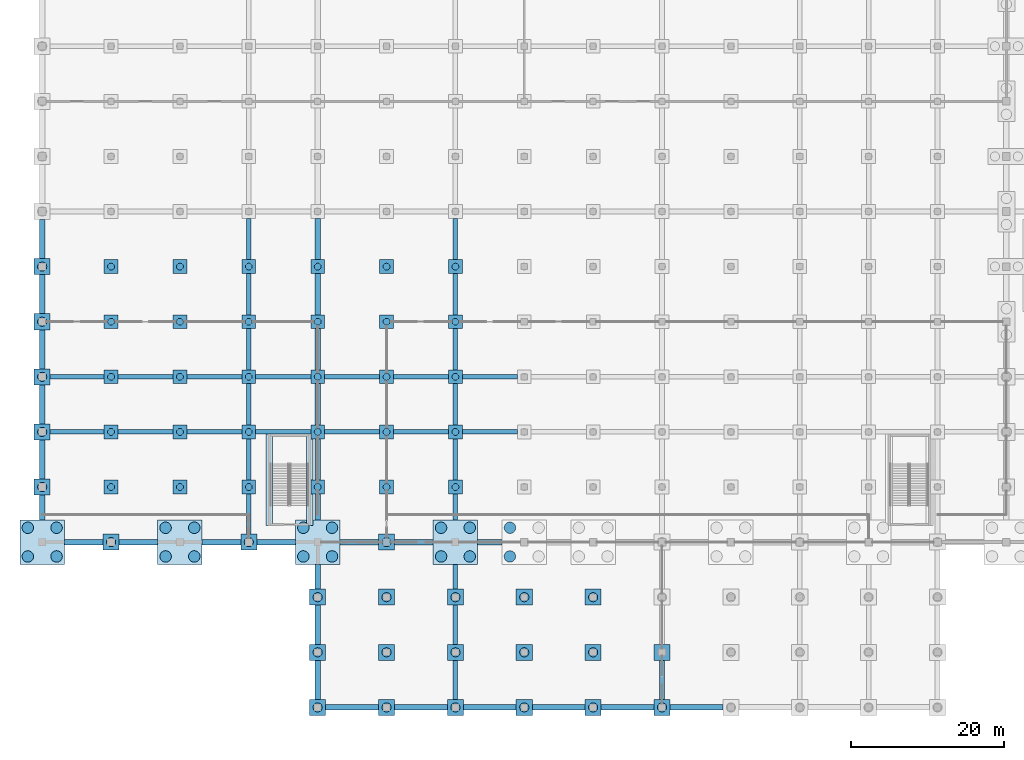
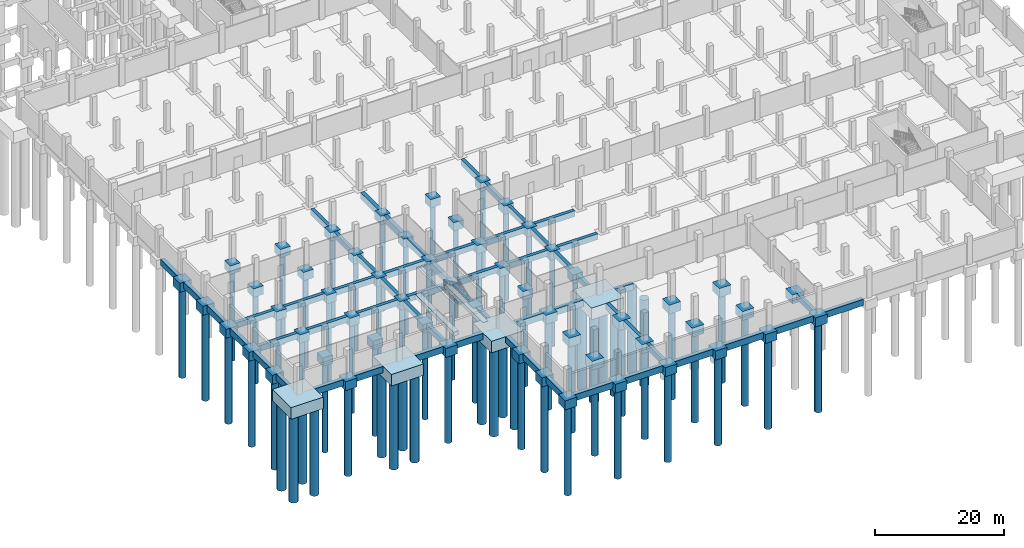
# One storey, part 1 of 39: 119 footings, 72 piles.
"""IFC4 building model written with IfcOpenShell, lengths in metres."""

from ifc_helpers import new_model, si_unit, direction, frame, origin, origin_2d, place, context, subcontext, project, spatial, rectangle, circle, extrude, material, material_profile, profile_set, type_object, element, save


model = new_model("IFC4")

# Units and contexts
model_context = context("Model", 3, precision=1e-05, world=origin(), true_north=direction((0.0, 1.0)))
body_context = subcontext(model_context, "Body", "Model", "MODEL_VIEW")
ifc_project = project(units=[si_unit("LENGTHUNIT", "METRE"), si_unit("AREAUNIT", "SQUARE_METRE"), si_unit("VOLUMEUNIT", "CUBIC_METRE"), si_unit("PLANEANGLEUNIT", "RADIAN"), si_unit("MASSUNIT", "GRAM", prefix="KILO")], contexts=[model_context])

# Site, building, storey
site_placement = place(None, origin())
site = spatial("IfcSite", under=ifc_project, at=site_placement, CompositionType="ELEMENT")
building_placement = place(site_placement, origin())
building = spatial("IfcBuilding", under=site, at=building_placement, Name="Celestram Park Convention Centre", CompositionType="ELEMENT")
storey_placement = place(building_placement, frame((0.0, 0.0, -5.39990234375)))
storey = spatial("IfcBuildingStorey", under=building, at=storey_placement, Name="B1", CompositionType="ELEMENT", Elevation=-5.39990234375)

# Footings
ifc_material_1 = material(Name="Concrete C40/50", Category="concrete")
footing_type_1 = type_object("IfcFootingType", Name="STR-CAP-PC1", PredefinedType="PILE_CAP", material=ifc_material_1)
for number, where, z_axis, x_axis, name in (
    (1, (9.0, 28.800048828125, -1.60009765625), (0.0, 0.0, 1.0), (1.0, 0.0, 0.0), "Caisson cap PC-01 at (9.0, 28.8)"),
    (2, (9.0, 36.0, -1.60009765625), (0.0, 0.0, 1.0), (1.0, 0.0, 0.0), "Caisson cap PC-01 at (9.0, 36.0)"),
    (3, (9.0, 43.199951171875, -1.60009765625), (0.0, 0.0, 1.0), (1.0, 0.0, 0.0), "Caisson cap PC-01 at (9.0, 43.2)"),
    (4, (9.0, 50.39990234375, -1.60009765625), (0.0, 0.0, 1.0), (1.0, 0.0, 0.0), "Caisson cap PC-01 at (9.0, 50.4)"),
    (5, (9.0, 57.60009765625, -1.60009765625), (0.0, 0.0, 1.0), (1.0, 0.0, 0.0), "Caisson cap PC-01 at (9.0, 57.6)"),
    (6, (18.0, 28.800048828125, -1.60009765625), (0.0, 0.0, 1.0), (1.0, 0.0, 0.0), "Caisson cap PC-01 at (18.0, 28.8)"),
    (7, (18.0, 36.0, -1.60009765625), (0.0, 0.0, 1.0), (1.0, 0.0, 0.0), "Caisson cap PC-01 at (18.0, 36.0)"),
    (8, (18.0, 43.199951171875, -1.60009765625), (0.0, 0.0, 1.0), (1.0, 0.0, 0.0), "Caisson cap PC-01 at (18.0, 43.2)"),
    (9, (18.0, 50.39990234375, -1.60009765625), (0.0, 0.0, 1.0), (1.0, 0.0, 0.0), "Caisson cap PC-01 at (18.0, 50.4)"),
    (10, (18.0, 57.60009765625, -1.60009765625), (0.0, 0.0, 1.0), (1.0, 0.0, 0.0), "Caisson cap PC-01 at (18.0, 57.6)"),
    (11, (27.0, 28.800048828125, -1.60009765625), (0.0, 0.0, 1.0), (1.0, 0.0, 0.0), "Caisson cap PC-01 at (27.0, 28.8)"),
    (12, (27.0, 36.0, -1.60009765625), (0.0, 0.0, 1.0), (1.0, 0.0, 0.0), "Caisson cap PC-01 at (27.0, 36.0)"),
    (13, (27.0, 43.199951171875, -1.60009765625), (0.0, 0.0, 1.0), (1.0, 0.0, 0.0), "Caisson cap PC-01 at (27.0, 43.2)"),
    (14, (27.0, 50.39990234375, -1.60009765625), (0.0, 0.0, 1.0), (1.0, 0.0, 0.0), "Caisson cap PC-01 at (27.0, 50.4)"),
    (15, (27.0, 57.60009765625, -1.60009765625), (0.0, 0.0, 1.0), (1.0, 0.0, 0.0), "Caisson cap PC-01 at (27.0, 57.6)"),
    (16, (36.0, 28.800048828125, -1.60009765625), (0.0, 0.0, 1.0), (1.0, 0.0, 0.0), "Caisson cap PC-01 at (36.0, 28.8)"),
    (17, (36.0, 36.0, -1.60009765625), (0.0, 0.0, 1.0), (1.0, 0.0, 0.0), "Caisson cap PC-01 at (36.0, 36.0)"),
    (18, (36.0, 43.199951171875, -1.60009765625), (0.0, 0.0, 1.0), (1.0, 0.0, 0.0), "Caisson cap PC-01 at (36.0, 43.2)"),
    (19, (36.0, 50.39990234375, -1.60009765625), (0.0, 0.0, 1.0), (1.0, 0.0, 0.0), "Caisson cap PC-01 at (36.0, 50.4)"),
    (20, (36.0, 57.60009765625, -1.60009765625), (0.0, 0.0, 1.0), (1.0, 0.0, 0.0), "Caisson cap PC-01 at (36.0, 57.6)"),
    (21, (45.0, 28.800048828125, -1.60009765625), (0.0, 0.0, 1.0), (1.0, 0.0, 0.0), "Caisson cap PC-01 at (45.0, 28.8)"),
    (22, (45.0, 36.0, -1.60009765625), (0.0, 0.0, 1.0), (1.0, 0.0, 0.0), "Caisson cap PC-01 at (45.0, 36.0)"),
    (23, (45.0, 43.199951171875, -1.60009765625), (0.0, 0.0, 1.0), (1.0, 0.0, 0.0), "Caisson cap PC-01 at (45.0, 43.2)"),
    (24, (45.0, 50.39990234375, -1.60009765625), (0.0, 0.0, 1.0), (1.0, 0.0, 0.0), "Caisson cap PC-01 at (45.0, 50.4)"),
    (25, (45.0, 57.60009765625, -1.60009765625), (0.0, 0.0, 1.0), (1.0, 0.0, 0.0), "Caisson cap PC-01 at (45.0, 57.6)"),
    (26, (54.0, 28.800048828125, -1.60009765625), (0.0, 0.0, 1.0), (1.0, 0.0, 0.0), "Caisson cap PC-01 at (54.0, 28.8)"),
    (27, (54.0, 36.0, -1.60009765625), (0.0, 0.0, 1.0), (1.0, 0.0, 0.0), "Caisson cap PC-01 at (54.0, 36.0)"),
    (28, (54.0, 43.199951171875, -1.60009765625), (0.0, 0.0, 1.0), (1.0, 0.0, 0.0), "Caisson cap PC-01 at (54.0, 43.2)"),
    (29, (54.0, 50.39990234375, -1.60009765625), (0.0, 0.0, 1.0), (1.0, 0.0, 0.0), "Caisson cap PC-01 at (54.0, 50.4)"),
    (30, (54.0, 57.60009765625, -1.60009765625), (0.0, 0.0, 1.0), (1.0, 0.0, 0.0), "Caisson cap PC-01 at (54.0, 57.6)"),
):
    element("IfcFooting", number, at=place(storey_placement, frame(where, z_axis=z_axis, x_axis=x_axis)), inside=storey, type_object=footing_type_1, Name=name, PredefinedType="PILE_CAP", context=body_context, shape_type="SweptSolid", body=[
        extrude(rectangle(XDim=1.800048828125, YDim=1.800048828125, at=origin_2d()), origin(), (0.0, 0.0, 1.0), 1.60009765625),
    ])
footing_type_2 = type_object("IfcFootingType", Name="STR-CAP-PC2", PredefinedType="PILE_CAP", material=ifc_material_1)
for number, where, z_axis, x_axis, name in (
    (31, (0.0, 28.800048828125, -1.7001953125), (0.0, 0.0, 1.0), (1.0, 0.0, 0.0), "Caisson cap PC-02 at (0.0, 28.8)"),
    (32, (0.0, 36.0, -1.7001953125), (0.0, 0.0, 1.0), (1.0, 0.0, 0.0), "Caisson cap PC-02 at (0.0, 36.0)"),
    (33, (0.0, 43.199951171875, -1.7001953125), (0.0, 0.0, 1.0), (1.0, 0.0, 0.0), "Caisson cap PC-02 at (0.0, 43.2)"),
    (34, (0.0, 50.39990234375, -1.7001953125), (0.0, 0.0, 1.0), (1.0, 0.0, 0.0), "Caisson cap PC-02 at (0.0, 50.4)"),
    (35, (0.0, 57.60009765625, -1.7001953125), (0.0, 0.0, 1.0), (1.0, 0.0, 0.0), "Caisson cap PC-02 at (0.0, 57.6)"),
    (36, (9.0, 21.60009765625, -1.7001953125), (0.0, 0.0, 1.0), (1.0, 0.0, 0.0), "Caisson cap PC-02 at (9.0, 21.6)"),
    (37, (27.0, 21.60009765625, -1.7001953125), (0.0, 0.0, 1.0), (1.0, 0.0, 0.0), "Caisson cap PC-02 at (27.0, 21.6)"),
    (38, (36.0, 0.0, -1.7001953125), (0.0, 0.0, 1.0), (1.0, 0.0, 0.0), "Caisson cap PC-02 at (36.0, 0.0)"),
    (39, (36.0, 7.199951171875, -1.7001953125), (0.0, 0.0, 1.0), (1.0, 0.0, 0.0), "Caisson cap PC-02 at (36.0, 7.2)"),
    (40, (36.0, 14.39990234375, -1.7001953125), (0.0, 0.0, 1.0), (1.0, 0.0, 0.0), "Caisson cap PC-02 at (36.0, 14.4)"),
    (41, (45.0, 0.0, -1.7001953125), (0.0, 0.0, 1.0), (1.0, 0.0, 0.0), "Caisson cap PC-02 at (45.0, 0.0)"),
    (42, (45.0, 7.199951171875, -1.7001953125), (0.0, 0.0, 1.0), (1.0, 0.0, 0.0), "Caisson cap PC-02 at (45.0, 7.2)"),
    (43, (45.0, 14.39990234375, -1.7001953125), (0.0, 0.0, 1.0), (1.0, 0.0, 0.0), "Caisson cap PC-02 at (45.0, 14.4)"),
    (44, (45.0, 21.60009765625, -1.7001953125), (0.0, 0.0, 1.0), (1.0, 0.0, 0.0), "Caisson cap PC-02 at (45.0, 21.6)"),
    (45, (54.0, 0.0, -1.7001953125), (0.0, 0.0, 1.0), (1.0, 0.0, 0.0), "Caisson cap PC-02 at (54.0, 0.0)"),
    (46, (54.0, 7.199951171875, -1.7001953125), (0.0, 0.0, 1.0), (1.0, 0.0, 0.0), "Caisson cap PC-02 at (54.0, 7.2)"),
    (47, (54.0, 14.39990234375, -1.7001953125), (0.0, 0.0, 1.0), (1.0, 0.0, 0.0), "Caisson cap PC-02 at (54.0, 14.4)"),
    (48, (63.0, 0.0, -1.7001953125), (0.0, 0.0, 1.0), (1.0, 0.0, 0.0), "Caisson cap PC-02 at (63.0, 0.0)"),
    (49, (63.0, 7.199951171875, -1.7001953125), (0.0, 0.0, 1.0), (1.0, 0.0, 0.0), "Caisson cap PC-02 at (63.0, 7.2)"),
    (50, (63.0, 14.39990234375, -1.7001953125), (0.0, 0.0, 1.0), (1.0, 0.0, 0.0), "Caisson cap PC-02 at (63.0, 14.4)"),
    (51, (72.0, 0.0, -1.7001953125), (0.0, 0.0, 1.0), (1.0, 0.0, 0.0), "Caisson cap PC-02 at (72.0, 0.0)"),
    (52, (72.0, 7.199951171875, -1.7001953125), (0.0, 0.0, 1.0), (1.0, 0.0, 0.0), "Caisson cap PC-02 at (72.0, 7.2)"),
    (53, (72.0, 14.39990234375, -1.7001953125), (0.0, 0.0, 1.0), (1.0, 0.0, 0.0), "Caisson cap PC-02 at (72.0, 14.4)"),
    (54, (81.0, 0.0, -1.7001953125), (0.0, 0.0, 1.0), (1.0, 0.0, 0.0), "Caisson cap PC-02 at (81.0, 0.0)"),
    (55, (81.0, 7.199951171875, -1.7001953125), (0.0, 0.0, 1.0), (1.0, 0.0, 0.0), "Caisson cap PC-02 at (81.0, 7.2)"),
):
    element("IfcFooting", number, at=place(storey_placement, frame(where, z_axis=z_axis, x_axis=x_axis)), inside=storey, type_object=footing_type_2, Name=name, PredefinedType="PILE_CAP", context=body_context, shape_type="SweptSolid", body=[
        extrude(rectangle(XDim=2.10009765625, YDim=2.10009765625, at=origin_2d()), origin(), (0.0, 0.0, 1.0), 1.699951171875),
    ])
footing_type_3 = type_object("IfcFootingType", Name="STR-CAP-PC8", PredefinedType="PILE_CAP", material=ifc_material_1)
for number, where, z_axis, x_axis, name in (
    (56, (0.0, 21.60009765625, -2.2001953125), (0.0, 0.0, 1.0), (1.0, 0.0, 0.0), "Caisson cap PC-08 at (0.0, 21.6)"),
    (57, (18.0, 21.60009765625, -2.2001953125), (0.0, 0.0, 1.0), (1.0, 0.0, 0.0), "Caisson cap PC-08 at (18.0, 21.6)"),
    (58, (36.0, 21.60009765625, -2.2001953125), (0.0, 0.0, 1.0), (1.0, 0.0, 0.0), "Caisson cap PC-08 at (36.0, 21.6)"),
    (59, (54.0, 21.60009765625, -2.2001953125), (0.0, 0.0, 1.0), (1.0, 0.0, 0.0), "Caisson cap PC-08 at (54.0, 21.6)"),
):
    element("IfcFooting", number, at=place(storey_placement, frame(where, z_axis=z_axis, x_axis=x_axis)), inside=storey, type_object=footing_type_3, Name=name, PredefinedType="PILE_CAP", context=body_context, shape_type="SweptSolid", body=[
        extrude(rectangle(XDim=5.800048828125, YDim=5.800048828125, at=origin_2d()), origin(), (0.0, 0.0, 1.0), 2.199951171875),
    ])
ifc_material_2 = material(Name="Concrete C35/45", Category="concrete")
footing_type_4 = type_object("IfcFootingType", Name="STR-FTG-GB01", PredefinedType="FOOTING_BEAM", material=ifc_material_2)
for number, where, z_axis, x_axis, name in (
    (60, (5.425048828125, 21.60009765625, -1.2001953125), (0.0, 0.0, 1.0), (1.0, 0.0, 0.0), "Grade tie beam GB-B1-001"),
    (61, (12.574951171875, 21.60009765625, -1.2001953125), (0.0, 0.0, 1.0), (1.0, 0.0, 0.0), "Grade tie beam GB-B1-027"),
    (62, (23.425048828125, 21.60009765625, -1.2001953125), (0.0, 0.0, 1.0), (1.0, 0.0, 0.0), "Grade tie beam GB-B1-037"),
    (63, (30.574951171875, 21.60009765625, -1.2001953125), (0.0, 0.0, 1.0), (1.0, 0.0, 0.0), "Grade tie beam GB-B1-047"),
    (64, (41.425048828125, 21.60009765625, -1.2001953125), (0.0, 0.0, 1.0), (1.0, 0.0, 0.0), "Grade tie beam GB-B1-083"),
    (65, (48.574951171875, 21.60009765625, -1.2001953125), (0.0, 0.0, 1.0), (1.0, 0.0, 0.0), "Grade tie beam GB-B1-116"),
):
    element("IfcFooting", number, at=place(storey_placement, frame(where, z_axis=z_axis, x_axis=x_axis)), inside=storey, type_object=footing_type_4, Name=name, PredefinedType="FOOTING_BEAM", context=body_context, shape_type="SweptSolid", body=[
        extrude(rectangle(XDim=5.050048828125, YDim=0.699951171875, at=origin_2d()), origin(), (0.0, 0.0, 1.0), 1.199951171875),
    ])
footing_type_5 = type_object("IfcFootingType", Name="STR-FTG-GB02", PredefinedType="FOOTING_BEAM", material=ifc_material_2)
for number, where, z_axis, x_axis, name in (
    (66, (0.0, 26.125, -1.2001953125), (0.0, 0.0, 1.0), (0.0, 1.0, 0.0), "Grade tie beam GB-B1-002"),
    (67, (36.0, 17.074951171875, -1.2001953125), (0.0, 0.0, 1.0), (0.0, 1.0, 0.0), "Grade tie beam GB-B1-082"),
):
    element("IfcFooting", number, at=place(storey_placement, frame(where, z_axis=z_axis, x_axis=x_axis)), inside=storey, type_object=footing_type_5, Name=name, PredefinedType="FOOTING_BEAM", context=body_context, shape_type="SweptSolid", body=[
        extrude(rectangle(XDim=3.25, YDim=0.699951171875, at=origin_2d()), origin(), (0.0, 0.0, 1.0), 1.199951171875),
    ])
footing_type_6 = type_object("IfcFootingType", Name="STR-FTG-GB03", PredefinedType="FOOTING_BEAM", material=ifc_material_2)
for number, where, z_axis, x_axis, name in (
    (68, (0.0, 32.39990234375, -1.2001953125), (0.0, 0.0, 1.0), (0.0, 1.0, 0.0), "Grade tie beam GB-B1-003"),
    (69, (0.0, 39.60009765625, -1.2001953125), (0.0, 0.0, 1.0), (0.0, 1.0, 0.0), "Grade tie beam GB-B1-005"),
    (70, (0.0, 46.800048828125, -1.2001953125), (0.0, 0.0, 1.0), (0.0, 1.0, 0.0), "Grade tie beam GB-B1-007"),
    (71, (0.0, 54.0, -1.2001953125), (0.0, 0.0, 1.0), (0.0, 1.0, 0.0), "Grade tie beam GB-B1-008"),
    (72, (0.0, 61.199951171875, -1.2001953125), (0.0, 0.0, 1.0), (0.0, 1.0, 0.0), "Grade tie beam GB-B1-009"),
    (73, (36.0, 3.60009765625, -1.2001953125), (0.0, 0.0, 1.0), (0.0, 1.0, 0.0), "Grade tie beam GB-B1-080"),
    (74, (36.0, 10.800048828125, -1.2001953125), (0.0, 0.0, 1.0), (0.0, 1.0, 0.0), "Grade tie beam GB-B1-081"),
):
    element("IfcFooting", number, at=place(storey_placement, frame(where, z_axis=z_axis, x_axis=x_axis)), inside=storey, type_object=footing_type_6, Name=name, PredefinedType="FOOTING_BEAM", context=body_context, shape_type="SweptSolid", body=[
        extrude(rectangle(XDim=5.10009765625, YDim=0.699951171875, at=origin_2d()), origin(), (0.0, 0.0, 1.0), 1.199951171875),
    ])
footing_type_7 = type_object("IfcFootingType", Name="STR-FTG-GB04", PredefinedType="FOOTING_BEAM", material=ifc_material_2)
for number, where, z_axis, x_axis, name in (
    (75, (4.574951171875, 36.0, -1.10009765625), (0.0, 0.0, 1.0), (1.0, 0.0, 0.0), "Grade tie beam GB-B1-004"),
    (76, (4.574951171875, 43.199951171875, -1.10009765625), (0.0, 0.0, 1.0), (1.0, 0.0, 0.0), "Grade tie beam GB-B1-006"),
):
    element("IfcFooting", number, at=place(storey_placement, frame(where, z_axis=z_axis, x_axis=x_axis)), inside=storey, type_object=footing_type_7, Name=name, PredefinedType="FOOTING_BEAM", context=body_context, shape_type="SweptSolid", body=[
        extrude(rectangle(XDim=7.050048828125, YDim=0.60009765625, at=origin_2d()), origin(), (0.0, 0.0, 1.0), 1.10009765625),
    ])
footing_type_8 = type_object("IfcFootingType", Name="STR-FTG-GB06", PredefinedType="FOOTING_BEAM", material=ifc_material_2)
for number, where, z_axis, x_axis, name in (
    (77, (13.5, 36.0, -1.10009765625), (0.0, 0.0, 1.0), (1.0, 0.0, 0.0), "Grade tie beam GB-B1-028"),
    (78, (13.5, 43.199951171875, -1.10009765625), (0.0, 0.0, 1.0), (1.0, 0.0, 0.0), "Grade tie beam GB-B1-029"),
    (79, (22.5, 36.0, -1.10009765625), (0.0, 0.0, 1.0), (1.0, 0.0, 0.0), "Grade tie beam GB-B1-038"),
    (80, (22.5, 43.199951171875, -1.10009765625), (0.0, 0.0, 1.0), (1.0, 0.0, 0.0), "Grade tie beam GB-B1-039"),
    (81, (31.5, 36.0, -1.10009765625), (0.0, 0.0, 1.0), (1.0, 0.0, 0.0), "Grade tie beam GB-B1-050"),
    (82, (31.5, 43.199951171875, -1.10009765625), (0.0, 0.0, 1.0), (1.0, 0.0, 0.0), "Grade tie beam GB-B1-052"),
    (83, (40.5, 36.0, -1.10009765625), (0.0, 0.0, 1.0), (1.0, 0.0, 0.0), "Grade tie beam GB-B1-086"),
    (84, (40.5, 43.199951171875, -1.10009765625), (0.0, 0.0, 1.0), (1.0, 0.0, 0.0), "Grade tie beam GB-B1-088"),
    (85, (49.5, 36.0, -1.10009765625), (0.0, 0.0, 1.0), (1.0, 0.0, 0.0), "Grade tie beam GB-B1-117"),
    (86, (49.5, 43.199951171875, -1.10009765625), (0.0, 0.0, 1.0), (1.0, 0.0, 0.0), "Grade tie beam GB-B1-118"),
    (87, (58.5, 36.0, -1.10009765625), (0.0, 0.0, 1.0), (1.0, 0.0, 0.0), "Grade tie beam GB-B1-135"),
    (88, (58.5, 43.199951171875, -1.10009765625), (0.0, 0.0, 1.0), (1.0, 0.0, 0.0), "Grade tie beam GB-B1-137"),
):
    element("IfcFooting", number, at=place(storey_placement, frame(where, z_axis=z_axis, x_axis=x_axis)), inside=storey, type_object=footing_type_8, Name=name, PredefinedType="FOOTING_BEAM", context=body_context, shape_type="SweptSolid", body=[
        extrude(rectangle(XDim=7.199951171875, YDim=0.60009765625, at=origin_2d()), origin(), (0.0, 0.0, 1.0), 1.10009765625),
    ])
footing_type_9 = type_object("IfcFootingType", Name="STR-FTG-GB07", PredefinedType="FOOTING_BEAM", material=ifc_material_2)
footing_1_placement = place(storey_placement, frame((27.0, 25.27490234375, -1.10009765625), z_axis=(0.0, 0.0, 1.0), x_axis=(0.0, 1.0, 0.0)))
element("IfcFooting", 89, at=footing_1_placement, inside=storey, type_object=footing_type_9, Name="Grade tie beam GB-B1-048", PredefinedType="FOOTING_BEAM", context=body_context, shape_type="SweptSolid", body=[
    extrude(rectangle(XDim=5.25, YDim=0.60009765625, at=origin_2d()), origin(), (0.0, 0.0, 1.0), 1.10009765625),
])
footing_type_10 = type_object("IfcFootingType", Name="STR-FTG-GB08", PredefinedType="FOOTING_BEAM", material=ifc_material_2)
for number, where, z_axis, x_axis, name in (
    (90, (27.0, 32.39990234375, -1.10009765625), (0.0, 0.0, 1.0), (0.0, 1.0, 0.0), "Grade tie beam GB-B1-049"),
    (91, (27.0, 39.60009765625, -1.10009765625), (0.0, 0.0, 1.0), (0.0, 1.0, 0.0), "Grade tie beam GB-B1-051"),
    (92, (27.0, 46.800048828125, -1.10009765625), (0.0, 0.0, 1.0), (0.0, 1.0, 0.0), "Grade tie beam GB-B1-053"),
    (93, (27.0, 54.0, -1.10009765625), (0.0, 0.0, 1.0), (0.0, 1.0, 0.0), "Grade tie beam GB-B1-054"),
    (94, (27.0, 61.199951171875, -1.10009765625), (0.0, 0.0, 1.0), (0.0, 1.0, 0.0), "Grade tie beam GB-B1-055"),
    (95, (54.0, 32.39990234375, -1.10009765625), (0.0, 0.0, 1.0), (0.0, 1.0, 0.0), "Grade tie beam GB-B1-134"),
    (96, (54.0, 39.60009765625, -1.10009765625), (0.0, 0.0, 1.0), (0.0, 1.0, 0.0), "Grade tie beam GB-B1-136"),
    (97, (54.0, 46.800048828125, -1.10009765625), (0.0, 0.0, 1.0), (0.0, 1.0, 0.0), "Grade tie beam GB-B1-138"),
    (98, (54.0, 54.0, -1.10009765625), (0.0, 0.0, 1.0), (0.0, 1.0, 0.0), "Grade tie beam GB-B1-139"),
    (99, (54.0, 61.199951171875, -1.10009765625), (0.0, 0.0, 1.0), (0.0, 1.0, 0.0), "Grade tie beam GB-B1-140"),
):
    element("IfcFooting", number, at=place(storey_placement, frame(where, z_axis=z_axis, x_axis=x_axis)), inside=storey, type_object=footing_type_10, Name=name, PredefinedType="FOOTING_BEAM", context=body_context, shape_type="SweptSolid", body=[
        extrude(rectangle(XDim=5.39990234375, YDim=0.60009765625, at=origin_2d()), origin(), (0.0, 0.0, 1.0), 1.10009765625),
    ])
footing_type_11 = type_object("IfcFootingType", Name="STR-FTG-GB09", PredefinedType="FOOTING_BEAM", material=ifc_material_2)
for number, where, z_axis, x_axis, name in (
    (100, (54.0, 3.60009765625, -1.10009765625), (0.0, 0.0, 1.0), (0.0, 1.0, 0.0), "Grade tie beam GB-B1-129"),
    (101, (54.0, 10.800048828125, -1.10009765625), (0.0, 0.0, 1.0), (0.0, 1.0, 0.0), "Grade tie beam GB-B1-130"),
    (102, (81.0, 3.60009765625, -1.10009765625), (0.0, 0.0, 1.0), (0.0, 1.0, 0.0), "Grade tie beam GB-B1-191"),
):
    element("IfcFooting", number, at=place(storey_placement, frame(where, z_axis=z_axis, x_axis=x_axis)), inside=storey, type_object=footing_type_11, Name=name, PredefinedType="FOOTING_BEAM", context=body_context, shape_type="SweptSolid", body=[
        extrude(rectangle(XDim=5.10009765625, YDim=0.60009765625, at=origin_2d()), origin(), (0.0, 0.0, 1.0), 1.10009765625),
    ])
footing_type_12 = type_object("IfcFootingType", Name="STR-FTG-GB12", PredefinedType="FOOTING_BEAM", material=ifc_material_2)
for number, where, z_axis, x_axis, name in (
    (103, (40.5, 0.0, -1.2001953125), (0.0, 0.0, 1.0), (1.0, 0.0, 0.0), "Grade tie beam GB-B1-079"),
    (104, (49.5, 0.0, -1.2001953125), (0.0, 0.0, 1.0), (1.0, 0.0, 0.0), "Grade tie beam GB-B1-115"),
    (105, (58.5, 0.0, -1.2001953125), (0.0, 0.0, 1.0), (1.0, 0.0, 0.0), "Grade tie beam GB-B1-128"),
    (106, (67.5, 0.0, -1.2001953125), (0.0, 0.0, 1.0), (1.0, 0.0, 0.0), "Grade tie beam GB-B1-164"),
    (107, (76.5, 0.0, -1.2001953125), (0.0, 0.0, 1.0), (1.0, 0.0, 0.0), "Grade tie beam GB-B1-177"),
    (108, (85.5, 0.0, -1.2001953125), (0.0, 0.0, 1.0), (1.0, 0.0, 0.0), "Grade tie beam GB-B1-190"),
):
    element("IfcFooting", number, at=place(storey_placement, frame(where, z_axis=z_axis, x_axis=x_axis)), inside=storey, type_object=footing_type_12, Name=name, PredefinedType="FOOTING_BEAM", context=body_context, shape_type="SweptSolid", body=[
        extrude(rectangle(XDim=6.89990234375, YDim=0.699951171875, at=origin_2d()), origin(), (0.0, 0.0, 1.0), 1.199951171875),
    ])
footing_type_13 = type_object("IfcFootingType", Name="STR-FTG-GB13", PredefinedType="FOOTING_BEAM", material=ifc_material_2)
footing_2_placement = place(storey_placement, frame((36.0, 26.199951171875, -1.2001953125), z_axis=(0.0, 0.0, 1.0), x_axis=(0.0, 1.0, 0.0)))
element("IfcFooting", 109, at=footing_2_placement, inside=storey, type_object=footing_type_13, Name="Grade tie beam GB-B1-084", PredefinedType="FOOTING_BEAM", context=body_context, shape_type="SweptSolid", body=[
    extrude(rectangle(XDim=3.39990234375, YDim=0.699951171875, at=origin_2d()), origin(), (0.0, 0.0, 1.0), 1.199951171875),
])
footing_type_14 = type_object("IfcFootingType", Name="STR-FTG-GB14", PredefinedType="FOOTING_BEAM", material=ifc_material_2)
for number, where, z_axis, x_axis, name in (
    (110, (36.0, 32.39990234375, -1.2001953125), (0.0, 0.0, 1.0), (0.0, 1.0, 0.0), "Grade tie beam GB-B1-085"),
    (111, (36.0, 39.60009765625, -1.2001953125), (0.0, 0.0, 1.0), (0.0, 1.0, 0.0), "Grade tie beam GB-B1-087"),
    (112, (36.0, 46.800048828125, -1.2001953125), (0.0, 0.0, 1.0), (0.0, 1.0, 0.0), "Grade tie beam GB-B1-089"),
    (113, (36.0, 54.0, -1.2001953125), (0.0, 0.0, 1.0), (0.0, 1.0, 0.0), "Grade tie beam GB-B1-090"),
    (114, (36.0, 61.199951171875, -1.2001953125), (0.0, 0.0, 1.0), (0.0, 1.0, 0.0), "Grade tie beam GB-B1-091"),
):
    element("IfcFooting", number, at=place(storey_placement, frame(where, z_axis=z_axis, x_axis=x_axis)), inside=storey, type_object=footing_type_14, Name=name, PredefinedType="FOOTING_BEAM", context=body_context, shape_type="SweptSolid", body=[
        extrude(rectangle(XDim=5.39990234375, YDim=0.699951171875, at=origin_2d()), origin(), (0.0, 0.0, 1.0), 1.199951171875),
    ])
footing_type_15 = type_object("IfcFootingType", Name="STR-FTG-GB20", PredefinedType="FOOTING_BEAM", material=ifc_material_2)
footing_3_placement = place(storey_placement, frame((54.0, 17.074951171875, -1.10009765625), z_axis=(0.0, 0.0, 1.0), x_axis=(0.0, 1.0, 0.0)))
element("IfcFooting", 115, at=footing_3_placement, inside=storey, type_object=footing_type_15, Name="Grade tie beam GB-B1-131", PredefinedType="FOOTING_BEAM", context=body_context, shape_type="SweptSolid", body=[
    extrude(rectangle(XDim=3.25, YDim=0.60009765625, at=origin_2d()), origin(), (0.0, 0.0, 1.0), 1.10009765625),
])
footing_type_16 = type_object("IfcFootingType", Name="STR-FTG-GB21", PredefinedType="FOOTING_BEAM", material=ifc_material_2)
footing_4_placement = place(storey_placement, frame((58.5, 21.60009765625, -1.2001953125), z_axis=(0.0, 0.0, 1.0), x_axis=(1.0, 0.0, 0.0)))
element("IfcFooting", 116, at=footing_4_placement, inside=storey, type_object=footing_type_16, Name="Grade tie beam GB-B1-132", PredefinedType="FOOTING_BEAM", context=body_context, shape_type="SweptSolid", body=[
    extrude(rectangle(XDim=3.199951171875, YDim=0.699951171875, at=origin_2d()), origin(), (0.0, 0.0, 1.0), 1.199951171875),
])
footing_type_17 = type_object("IfcFootingType", Name="STR-FTG-GB22", PredefinedType="FOOTING_BEAM", material=ifc_material_2)
footing_5_placement = place(storey_placement, frame((54.0, 26.199951171875, -1.10009765625), z_axis=(0.0, 0.0, 1.0), x_axis=(0.0, 1.0, 0.0)))
element("IfcFooting", 117, at=footing_5_placement, inside=storey, type_object=footing_type_17, Name="Grade tie beam GB-B1-133", PredefinedType="FOOTING_BEAM", context=body_context, shape_type="SweptSolid", body=[
    extrude(rectangle(XDim=3.39990234375, YDim=0.60009765625, at=origin_2d()), origin(), (0.0, 0.0, 1.0), 1.10009765625),
])
footing_type_18 = type_object("IfcFootingType", Name="STR-FTG-SF50", PredefinedType="STRIP_FOOTING", material=ifc_material_2)
for number, where, z_axis, x_axis, name in (
    (118, (29.669921875, 29.7451171875, -0.75), (0.0, 0.0, 1.0), (0.0, 1.0, 0.0), "Core S17 strip footing"),
    (119, (34.969970703125, 29.7451171875, -0.75), (0.0, 0.0, 1.0), (0.0, 1.0, 0.0), "Core S17 strip footing"),
):
    element("IfcFooting", number, at=place(storey_placement, frame(where, z_axis=z_axis, x_axis=x_axis)), inside=storey, type_object=footing_type_18, Name=name, PredefinedType="STRIP_FOOTING", context=body_context, shape_type="SweptSolid", body=[
        extrude(rectangle(XDim=11.989990234375, YDim=0.89990234375, at=origin_2d()), origin(), (0.0, 0.0, 1.0), 0.75),
    ])

# Piles
ifc_material_profile_1 = material_profile(ifc_material_1, circle(Radius=0.60009765625, at=origin_2d()), Name="CAISSON1200")
ifc_profile_set_1 = profile_set([ifc_material_profile_1], Name="Concrete C40/50")
pile_type_1 = type_object("IfcPileType", Name="STR-PIL-C1200", PredefinedType="BORED", material=ifc_profile_set_1)
for number, where, z_axis, x_axis, name in (
    (120, (0.0, 28.800048828125, -1.60009765625), (0.0, 0.0, -1.0), (1.0, 0.0, 0.0), "Bored caisson PC-B1-005"),
    (121, (0.0, 36.0, -1.60009765625), (0.0, 0.0, -1.0), (1.0, 0.0, 0.0), "Bored caisson PC-B1-006"),
    (122, (0.0, 43.199951171875, -1.60009765625), (0.0, 0.0, -1.0), (1.0, 0.0, 0.0), "Bored caisson PC-B1-007"),
    (123, (0.0, 50.39990234375, -1.60009765625), (0.0, 0.0, -1.0), (1.0, 0.0, 0.0), "Bored caisson PC-B1-008"),
    (124, (0.0, 57.60009765625, -1.60009765625), (0.0, 0.0, -1.0), (1.0, 0.0, 0.0), "Bored caisson PC-B1-009"),
    (125, (9.0, 21.60009765625, -1.60009765625), (0.0, 0.0, -1.0), (1.0, 0.0, 0.0), "Bored caisson PC-B1-024"),
    (126, (27.0, 21.60009765625, -1.60009765625), (0.0, 0.0, -1.0), (1.0, 0.0, 0.0), "Bored caisson PC-B1-064"),
    (127, (36.0, 0.0, -1.60009765625), (0.0, 0.0, -1.0), (1.0, 0.0, 0.0), "Bored caisson PC-B1-085"),
    (128, (36.0, 7.199951171875, -1.60009765625), (0.0, 0.0, -1.0), (1.0, 0.0, 0.0), "Bored caisson PC-B1-086"),
    (129, (36.0, 14.39990234375, -1.60009765625), (0.0, 0.0, -1.0), (1.0, 0.0, 0.0), "Bored caisson PC-B1-087"),
    (130, (45.0, 0.0, -1.60009765625), (0.0, 0.0, -1.0), (1.0, 0.0, 0.0), "Bored caisson PC-B1-139"),
    (131, (45.0, 7.199951171875, -1.60009765625), (0.0, 0.0, -1.0), (1.0, 0.0, 0.0), "Bored caisson PC-B1-140"),
    (132, (45.0, 14.39990234375, -1.60009765625), (0.0, 0.0, -1.0), (1.0, 0.0, 0.0), "Bored caisson PC-B1-141"),
    (133, (45.0, 21.60009765625, -1.60009765625), (0.0, 0.0, -1.0), (1.0, 0.0, 0.0), "Bored caisson PC-B1-142"),
    (134, (54.0, 0.0, -1.60009765625), (0.0, 0.0, -1.0), (1.0, 0.0, 0.0), "Bored caisson PC-B1-190"),
    (135, (54.0, 7.199951171875, -1.60009765625), (0.0, 0.0, -1.0), (1.0, 0.0, 0.0), "Bored caisson PC-B1-191"),
    (136, (54.0, 14.39990234375, -1.60009765625), (0.0, 0.0, -1.0), (1.0, 0.0, 0.0), "Bored caisson PC-B1-192"),
    (137, (63.0, 0.0, -1.60009765625), (0.0, 0.0, -1.0), (1.0, 0.0, 0.0), "Bored caisson PC-B1-241"),
    (138, (63.0, 7.199951171875, -1.60009765625), (0.0, 0.0, -1.0), (1.0, 0.0, 0.0), "Bored caisson PC-B1-242"),
    (139, (63.0, 14.39990234375, -1.60009765625), (0.0, 0.0, -1.0), (1.0, 0.0, 0.0), "Bored caisson PC-B1-243"),
    (140, (72.0, 0.0, -1.60009765625), (0.0, 0.0, -1.0), (1.0, 0.0, 0.0), "Bored caisson PC-B1-292"),
    (141, (72.0, 7.199951171875, -1.60009765625), (0.0, 0.0, -1.0), (1.0, 0.0, 0.0), "Bored caisson PC-B1-293"),
    (142, (72.0, 14.39990234375, -1.60009765625), (0.0, 0.0, -1.0), (1.0, 0.0, 0.0), "Bored caisson PC-B1-294"),
    (143, (81.0, 0.0, -1.60009765625), (0.0, 0.0, -1.0), (1.0, 0.0, 0.0), "Bored caisson PC-B1-343"),
):
    element("IfcPile", number, at=place(storey_placement, frame(where, z_axis=z_axis, x_axis=x_axis)), inside=storey, type_object=pile_type_1, Name=name, PredefinedType="BORED", context=body_context, shape_type="SweptSolid", body=[
        extrude(circle(Radius=0.60009765625, at=origin_2d()), origin(), (0.0, 0.0, 1.0), 17.0),
    ])
ifc_material_profile_2 = material_profile(ifc_material_1, circle(Radius=0.75, at=origin_2d()), Name="CAISSON1500")
ifc_profile_set_2 = profile_set([ifc_material_profile_2], Name="Concrete C40/50")
pile_type_2 = type_object("IfcPileType", Name="STR-PIL-C1500", PredefinedType="BORED", material=ifc_profile_set_2)
for number, where, z_axis, x_axis, name in (
    (144, (-1.875, 19.72509765625, -2.10009765625), (0.0, 0.0, -1.0), (1.0, 0.0, 0.0), "Bored caisson PC-B1-001"),
    (145, (1.875, 19.72509765625, -2.10009765625), (0.0, 0.0, -1.0), (1.0, 0.0, 0.0), "Bored caisson PC-B1-002"),
    (146, (-1.875, 23.47509765625, -2.10009765625), (0.0, 0.0, -1.0), (1.0, 0.0, 0.0), "Bored caisson PC-B1-003"),
    (147, (1.875, 23.47509765625, -2.10009765625), (0.0, 0.0, -1.0), (1.0, 0.0, 0.0), "Bored caisson PC-B1-004"),
    (148, (16.125, 19.72509765625, -2.10009765625), (0.0, 0.0, -1.0), (1.0, 0.0, 0.0), "Bored caisson PC-B1-041"),
    (149, (19.875, 19.72509765625, -2.10009765625), (0.0, 0.0, -1.0), (1.0, 0.0, 0.0), "Bored caisson PC-B1-042"),
    (150, (16.125, 23.47509765625, -2.10009765625), (0.0, 0.0, -1.0), (1.0, 0.0, 0.0), "Bored caisson PC-B1-043"),
    (151, (19.875, 23.47509765625, -2.10009765625), (0.0, 0.0, -1.0), (1.0, 0.0, 0.0), "Bored caisson PC-B1-044"),
    (152, (34.125, 19.72509765625, -2.10009765625), (0.0, 0.0, -1.0), (1.0, 0.0, 0.0), "Bored caisson PC-B1-088"),
    (153, (37.875, 19.72509765625, -2.10009765625), (0.0, 0.0, -1.0), (1.0, 0.0, 0.0), "Bored caisson PC-B1-089"),
    (154, (34.125, 23.47509765625, -2.10009765625), (0.0, 0.0, -1.0), (1.0, 0.0, 0.0), "Bored caisson PC-B1-090"),
    (155, (37.875, 23.47509765625, -2.10009765625), (0.0, 0.0, -1.0), (1.0, 0.0, 0.0), "Bored caisson PC-B1-091"),
    (156, (52.125, 19.72509765625, -2.10009765625), (0.0, 0.0, -1.0), (1.0, 0.0, 0.0), "Bored caisson PC-B1-193"),
    (157, (55.875, 19.72509765625, -2.10009765625), (0.0, 0.0, -1.0), (1.0, 0.0, 0.0), "Bored caisson PC-B1-194"),
    (158, (52.125, 23.47509765625, -2.10009765625), (0.0, 0.0, -1.0), (1.0, 0.0, 0.0), "Bored caisson PC-B1-195"),
    (159, (55.875, 23.47509765625, -2.10009765625), (0.0, 0.0, -1.0), (1.0, 0.0, 0.0), "Bored caisson PC-B1-196"),
    (160, (61.125, 19.72509765625, -2.10009765625), (0.0, 0.0, -1.0), (1.0, 0.0, 0.0), "Bored caisson PC-B1-244"),
    (161, (61.125, 23.47509765625, -2.10009765625), (0.0, 0.0, -1.0), (1.0, 0.0, 0.0), "Bored caisson PC-B1-246"),
):
    element("IfcPile", number, at=place(storey_placement, frame(where, z_axis=z_axis, x_axis=x_axis)), inside=storey, type_object=pile_type_2, Name=name, PredefinedType="BORED", context=body_context, shape_type="SweptSolid", body=[
        extrude(circle(Radius=0.75, at=origin_2d()), origin(), (0.0, 0.0, 1.0), 16.5),
    ])
ifc_material_profile_3 = material_profile(ifc_material_1, circle(Radius=0.449951171875, at=origin_2d()), Name="CAISSON900")
ifc_profile_set_3 = profile_set([ifc_material_profile_3], Name="Concrete C40/50")
pile_type_3 = type_object("IfcPileType", Name="STR-PIL-C900", PredefinedType="BORED", material=ifc_profile_set_3)
for number, where, z_axis, x_axis, name in (
    (162, (9.0, 28.800048828125, -1.5), (0.0, 0.0, -1.0), (1.0, 0.0, 0.0), "Bored caisson PC-B1-025"),
    (163, (9.0, 36.0, -1.5), (0.0, 0.0, -1.0), (1.0, 0.0, 0.0), "Bored caisson PC-B1-026"),
    (164, (9.0, 43.199951171875, -1.5), (0.0, 0.0, -1.0), (1.0, 0.0, 0.0), "Bored caisson PC-B1-027"),
    (165, (9.0, 50.39990234375, -1.5), (0.0, 0.0, -1.0), (1.0, 0.0, 0.0), "Bored caisson PC-B1-028"),
    (166, (9.0, 57.60009765625, -1.5), (0.0, 0.0, -1.0), (1.0, 0.0, 0.0), "Bored caisson PC-B1-029"),
    (167, (18.0, 28.800048828125, -1.5), (0.0, 0.0, -1.0), (1.0, 0.0, 0.0), "Bored caisson PC-B1-045"),
    (168, (18.0, 36.0, -1.5), (0.0, 0.0, -1.0), (1.0, 0.0, 0.0), "Bored caisson PC-B1-046"),
    (169, (18.0, 43.199951171875, -1.5), (0.0, 0.0, -1.0), (1.0, 0.0, 0.0), "Bored caisson PC-B1-047"),
    (170, (18.0, 50.39990234375, -1.5), (0.0, 0.0, -1.0), (1.0, 0.0, 0.0), "Bored caisson PC-B1-048"),
    (171, (18.0, 57.60009765625, -1.5), (0.0, 0.0, -1.0), (1.0, 0.0, 0.0), "Bored caisson PC-B1-049"),
    (172, (27.0, 28.800048828125, -1.5), (0.0, 0.0, -1.0), (1.0, 0.0, 0.0), "Bored caisson PC-B1-065"),
    (173, (27.0, 36.0, -1.5), (0.0, 0.0, -1.0), (1.0, 0.0, 0.0), "Bored caisson PC-B1-066"),
    (174, (27.0, 43.199951171875, -1.5), (0.0, 0.0, -1.0), (1.0, 0.0, 0.0), "Bored caisson PC-B1-067"),
    (175, (27.0, 50.39990234375, -1.5), (0.0, 0.0, -1.0), (1.0, 0.0, 0.0), "Bored caisson PC-B1-068"),
    (176, (27.0, 57.60009765625, -1.5), (0.0, 0.0, -1.0), (1.0, 0.0, 0.0), "Bored caisson PC-B1-069"),
    (177, (36.0, 28.800048828125, -1.5), (0.0, 0.0, -1.0), (1.0, 0.0, 0.0), "Bored caisson PC-B1-092"),
    (178, (36.0, 36.0, -1.5), (0.0, 0.0, -1.0), (1.0, 0.0, 0.0), "Bored caisson PC-B1-093"),
    (179, (36.0, 43.199951171875, -1.5), (0.0, 0.0, -1.0), (1.0, 0.0, 0.0), "Bored caisson PC-B1-094"),
    (180, (36.0, 50.39990234375, -1.5), (0.0, 0.0, -1.0), (1.0, 0.0, 0.0), "Bored caisson PC-B1-095"),
    (181, (36.0, 57.60009765625, -1.5), (0.0, 0.0, -1.0), (1.0, 0.0, 0.0), "Bored caisson PC-B1-096"),
    (182, (45.0, 28.800048828125, -1.5), (0.0, 0.0, -1.0), (1.0, 0.0, 0.0), "Bored caisson PC-B1-143"),
    (183, (45.0, 36.0, -1.5), (0.0, 0.0, -1.0), (1.0, 0.0, 0.0), "Bored caisson PC-B1-144"),
    (184, (45.0, 43.199951171875, -1.5), (0.0, 0.0, -1.0), (1.0, 0.0, 0.0), "Bored caisson PC-B1-145"),
    (185, (45.0, 50.39990234375, -1.5), (0.0, 0.0, -1.0), (1.0, 0.0, 0.0), "Bored caisson PC-B1-146"),
    (186, (45.0, 57.60009765625, -1.5), (0.0, 0.0, -1.0), (1.0, 0.0, 0.0), "Bored caisson PC-B1-147"),
    (187, (54.0, 28.800048828125, -1.5), (0.0, 0.0, -1.0), (1.0, 0.0, 0.0), "Bored caisson PC-B1-197"),
    (188, (54.0, 36.0, -1.5), (0.0, 0.0, -1.0), (1.0, 0.0, 0.0), "Bored caisson PC-B1-198"),
    (189, (54.0, 43.199951171875, -1.5), (0.0, 0.0, -1.0), (1.0, 0.0, 0.0), "Bored caisson PC-B1-199"),
    (190, (54.0, 50.39990234375, -1.5), (0.0, 0.0, -1.0), (1.0, 0.0, 0.0), "Bored caisson PC-B1-200"),
    (191, (54.0, 57.60009765625, -1.5), (0.0, 0.0, -1.0), (1.0, 0.0, 0.0), "Bored caisson PC-B1-201"),
):
    element("IfcPile", number, at=place(storey_placement, frame(where, z_axis=z_axis, x_axis=x_axis)), inside=storey, type_object=pile_type_3, Name=name, PredefinedType="BORED", context=body_context, shape_type="SweptSolid", body=[
        extrude(circle(Radius=0.449951171875, at=origin_2d()), origin(), (0.0, 0.0, 1.0), 17.10009765625),
    ])

save(model, "model.ifc")
